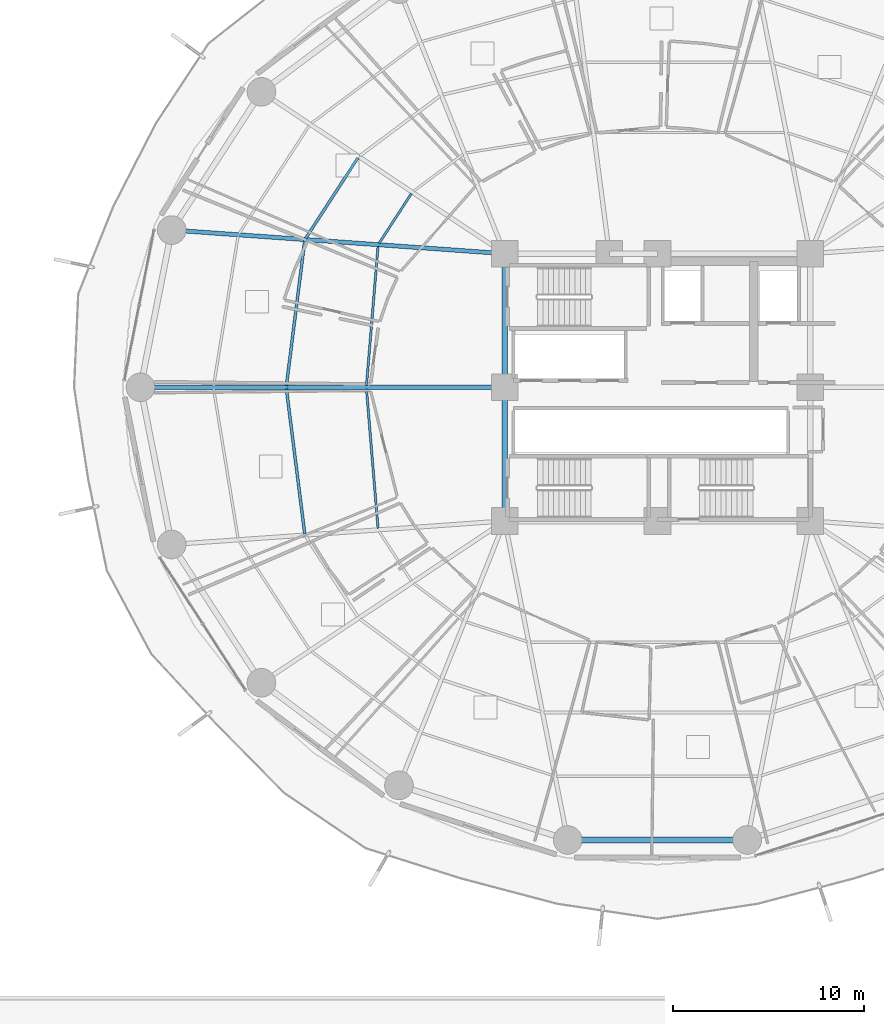
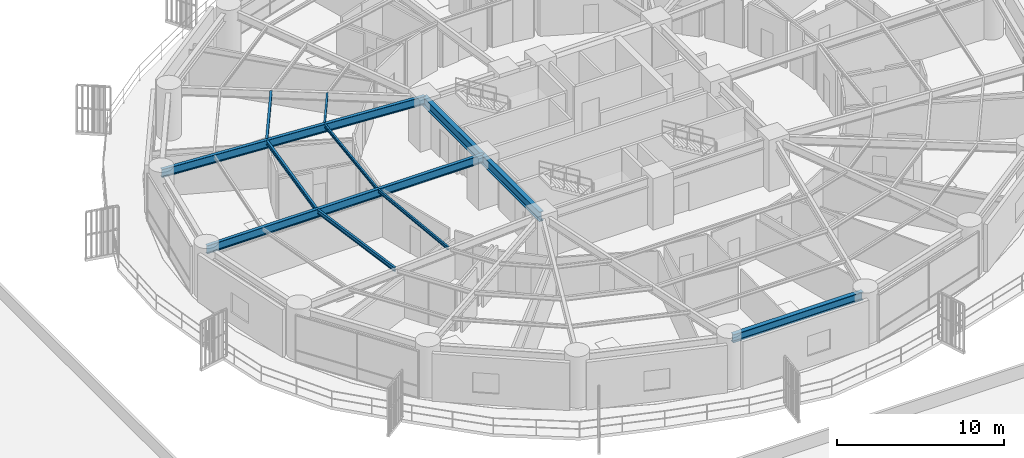
# One storey, part 6 of 35: 11 beams.
"""IFC4 building model written with IfcOpenShell, lengths in metres."""

from ifc_helpers import new_model, si_unit, direction, frame, origin, origin_2d, place, context, subcontext, project, spatial, i_section, extrude, material, material_profile, profile_set, type_object, element, save


model = new_model("IFC4")

# Units and contexts
model_context = context("Model", 3, precision=1e-05, world=origin(), true_north=direction((0.0, 1.0)))
body_context = subcontext(model_context, "Body", "Model", "MODEL_VIEW")
ifc_project = project(units=[si_unit("LENGTHUNIT", "METRE"), si_unit("AREAUNIT", "SQUARE_METRE"), si_unit("VOLUMEUNIT", "CUBIC_METRE"), si_unit("PLANEANGLEUNIT", "RADIAN"), si_unit("MASSUNIT", "GRAM", prefix="KILO")], contexts=[model_context])

# Site, building, storey
site_placement = place(None, origin())
site = spatial("IfcSite", under=ifc_project, at=site_placement, CompositionType="ELEMENT")
building_placement = place(site_placement, origin())
building = spatial("IfcBuilding", under=site, at=building_placement, Name="Kelanora Arch Commons", CompositionType="ELEMENT")
storey_placement = place(building_placement, frame((0.0, 0.0, 22.5)))
storey = spatial("IfcBuildingStorey", under=building, at=storey_placement, Name="L05", CompositionType="ELEMENT", Elevation=22.5)

# Beams
ifc_material = material(Name="Steel S355", Category="steel")
ifc_material_profile_1 = material_profile(ifc_material, i_section(OverallWidth=0.300048828125, OverallDepth=0.699951171875, WebThickness=0.01708984375, FlangeThickness=0.031982421875, FilletRadius=0.027099609375, at=origin_2d()), Name="HEB700")
ifc_profile_set_1 = profile_set([ifc_material_profile_1], Name="Steel S355")
beam_type_1 = type_object("IfcBeamType", Name="BM-CORE-HDR", PredefinedType="BEAM", material=ifc_profile_set_1)
for number, where, z_axis, x_axis, name in (
    (1, (66.0, 65.0, 3.139892578125), (0.0, -1.0, 0.0), (1.0, 0.0, 0.0), "Core Header Beam 08 L05"),
    (2, (66.0, 58.0, 3.139892578125), (0.0, -1.0, 0.0), (1.0, 0.0, 0.0), "Core Header Beam 09 L05"),
):
    element("IfcBeam", number, at=place(storey_placement, frame(where, z_axis=z_axis, x_axis=x_axis)), inside=storey, type_object=beam_type_1, Name=name, PredefinedType="BEAM", context=body_context, shape_type="SweptSolid", body=[
        extrude(i_section(OverallWidth=0.300048828125, OverallDepth=0.699951171875, WebThickness=0.01708984375, FlangeThickness=0.031982421875, FilletRadius=0.027099609375, at=origin_2d()), origin(), (0.0, 0.0, 1.0), 7.0),
    ])
ifc_material_profile_2 = material_profile(ifc_material, i_section(OverallWidth=0.14990234375, OverallDepth=0.300048828125, WebThickness=0.007080078125, FlangeThickness=0.0107421875, FilletRadius=0.014892578125, at=origin_2d()), Name="IPE300")
ifc_profile_set_2 = profile_set([ifc_material_profile_2], Name="Steel S355")
beam_type_2 = type_object("IfcBeamType", Name="BM-JST-01", PredefinedType="JOIST", material=ifc_profile_set_2)
beam_1_placement = place(storey_placement, frame((58.306884765625, 70.015625, 3.340087890625), z_axis=(-0.544551588245, -0.838727350061, 0.0), x_axis=(0.838727350061, -0.544551588245, 0.0)))
element("IfcBeam", 3, at=beam_1_placement, inside=storey, type_object=beam_type_2, Name="Secondary Chord Joist BJB-14 L05", PredefinedType="JOIST", context=body_context, shape_type="SweptSolid", body=[
    extrude(i_section(OverallWidth=0.14990234375, OverallDepth=0.300048828125, WebThickness=0.007080078125, FlangeThickness=0.0107421875, FilletRadius=0.014892578125, at=origin_2d()), origin(), (0.0, 0.0, 1.0), 5.010986328125),
])
for number, where, z_axis, x_axis, name in (
    (4, (55.521240234375, 65.6572265625, 3.340087890625), (-0.125565841651, -0.992085288375, 0.0), (0.992085288375, -0.125565841651, 0.0), "Secondary Chord Joist BJB-16 L05"),
    (5, (54.562744140625, 57.915771484375, 3.340087890625), (0.125565841651, -0.992085288375, 0.0), (0.992085288375, 0.125565841651, 0.0), "Secondary Chord Joist BJB-18 L05"),
):
    element("IfcBeam", number, at=place(storey_placement, frame(where, z_axis=z_axis, x_axis=x_axis)), inside=storey, type_object=beam_type_2, Name=name, PredefinedType="JOIST", context=body_context, shape_type="SweptSolid", body=[
        extrude(i_section(OverallWidth=0.14990234375, OverallDepth=0.300048828125, WebThickness=0.007080078125, FlangeThickness=0.0107421875, FilletRadius=0.014892578125, at=origin_2d()), origin(), (0.0, 0.0, 1.0), 7.63330078125),
    ])
ifc_material_profile_3 = material_profile(ifc_material, i_section(OverallWidth=0.1201171875, OverallDepth=0.239990234375, WebThickness=0.006103515625, FlangeThickness=0.009765625, FilletRadius=0.014892578125, at=origin_2d()), Name="IPE240")
ifc_profile_set_3 = profile_set([ifc_material_profile_3], Name="Steel S355")
beam_type_3 = type_object("IfcBeamType", Name="BM-JST-02", PredefinedType="JOIST", material=ifc_profile_set_3)
beam_2_placement = place(storey_placement, frame((61.11083984375, 68.150390625, 3.3701171875), z_axis=(-0.544591105858, -0.838701691557, 0.0), x_axis=(0.838701691557, -0.544591105858, 0.0)))
element("IfcBeam", 6, at=beam_2_placement, inside=storey, type_object=beam_type_3, Name="Secondary Chord Joist BJA-14 L05", PredefinedType="JOIST", context=body_context, shape_type="SweptSolid", body=[
    extrude(i_section(OverallWidth=0.1201171875, OverallDepth=0.239990234375, WebThickness=0.006103515625, FlangeThickness=0.009765625, FilletRadius=0.014892578125, at=origin_2d()), origin(), (0.0, 0.0, 1.0), 3.111328125),
])
for number, where, z_axis, x_axis, name in (
    (7, (59.363037109375, 65.385009765625, 3.3701171875), (-0.082786209886, -0.996567330115, 0.0), (0.996567330115, -0.082786209886, 0.0), "Secondary Chord Joist BJA-16 L05"),
    (8, (58.756591796875, 57.915283203125, 3.3701171875), (0.082786209886, -0.996567330115, 0.0), (0.996567330115, 0.082786209886, 0.0), "Secondary Chord Joist BJA-18 L05"),
):
    element("IfcBeam", number, at=place(storey_placement, frame(where, z_axis=z_axis, x_axis=x_axis)), inside=storey, type_object=beam_type_3, Name=name, PredefinedType="JOIST", context=body_context, shape_type="SweptSolid", body=[
        extrude(i_section(OverallWidth=0.1201171875, OverallDepth=0.239990234375, WebThickness=0.006103515625, FlangeThickness=0.009765625, FilletRadius=0.014892578125, at=origin_2d()), origin(), (0.0, 0.0, 1.0), 7.325439453125),
    ])
ifc_material_profile_4 = material_profile(ifc_material, i_section(OverallWidth=0.219970703125, OverallDepth=0.60009765625, WebThickness=0.011962890625, FlangeThickness=0.01904296875, FilletRadius=0.02392578125, at=origin_2d()), Name="IPE600")
ifc_profile_set_4 = profile_set([ifc_material_profile_4], Name="Steel S355")
beam_type_4 = type_object("IfcBeamType", Name="BM-RAD-Z1", PredefinedType="BEAM", material=ifc_profile_set_4)
beam_3_placement = place(storey_placement, frame((66.0, 65.0, 3.18994140625), z_axis=(-0.997500683472, 0.070656821848, 0.0), x_axis=(-0.070656821848, -0.997500683472, 0.0)))
element("IfcBeam", 9, at=beam_3_placement, inside=storey, type_object=beam_type_4, Name="Radial Floor Girder BR-16 L05", PredefinedType="BEAM", context=body_context, shape_type="SweptSolid", body=[
    extrude(i_section(OverallWidth=0.219970703125, OverallDepth=0.60009765625, WebThickness=0.011962890625, FlangeThickness=0.01904296875, FilletRadius=0.02392578125, at=origin_2d()), origin(), (0.0, 0.0, 1.0), 17.49072265625),
])
beam_4_placement = place(storey_placement, frame((66.0, 58.0, 3.18994140625), z_axis=(-1.0, 0.0, 0.0), x_axis=(0.0, -1.0, 0.0)))
element("IfcBeam", 10, at=beam_4_placement, inside=storey, type_object=beam_type_4, Name="Radial Floor Girder BR-18 L05", PredefinedType="BEAM", context=body_context, shape_type="SweptSolid", body=[
    extrude(i_section(OverallWidth=0.219970703125, OverallDepth=0.60009765625, WebThickness=0.011962890625, FlangeThickness=0.01904296875, FilletRadius=0.02392578125, at=origin_2d()), origin(), (0.0, 0.0, 1.0), 19.080078125),
])
ifc_material_profile_5 = material_profile(ifc_material, i_section(OverallWidth=0.300048828125, OverallDepth=0.60009765625, WebThickness=0.015380859375, FlangeThickness=0.030029296875, FilletRadius=0.027099609375, at=origin_2d()), Name="HEB600")
ifc_profile_set_5 = profile_set([ifc_material_profile_5], Name="Steel S355")
beam_type_5 = type_object("IfcBeamType", Name="BM-SPN-Z1", PredefinedType="SPANDREL", material=ifc_profile_set_5)
beam_5_placement = place(storey_placement, frame((69.517578125, 34.285888671875, 3.18994140625), z_axis=(1.0, 0.0, 0.0), x_axis=(0.0, 1.0, 0.0)))
element("IfcBeam", 11, at=beam_5_placement, inside=storey, type_object=beam_type_5, Name="Perimeter Spandrel Beam BS-26 L05", PredefinedType="SPANDREL", context=body_context, shape_type="SweptSolid", body=[
    extrude(i_section(OverallWidth=0.300048828125, OverallDepth=0.60009765625, WebThickness=0.015380859375, FlangeThickness=0.030029296875, FilletRadius=0.027099609375, at=origin_2d()), origin(), (0.0, 0.0, 1.0), 8.96484375),
])

save(model, "model.ifc")
